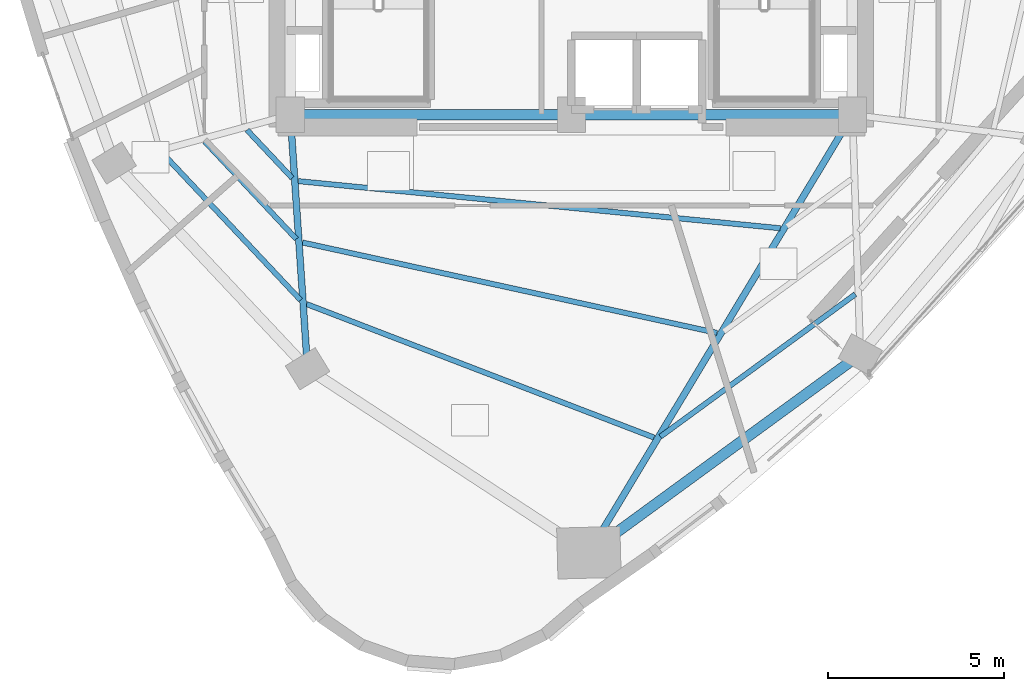
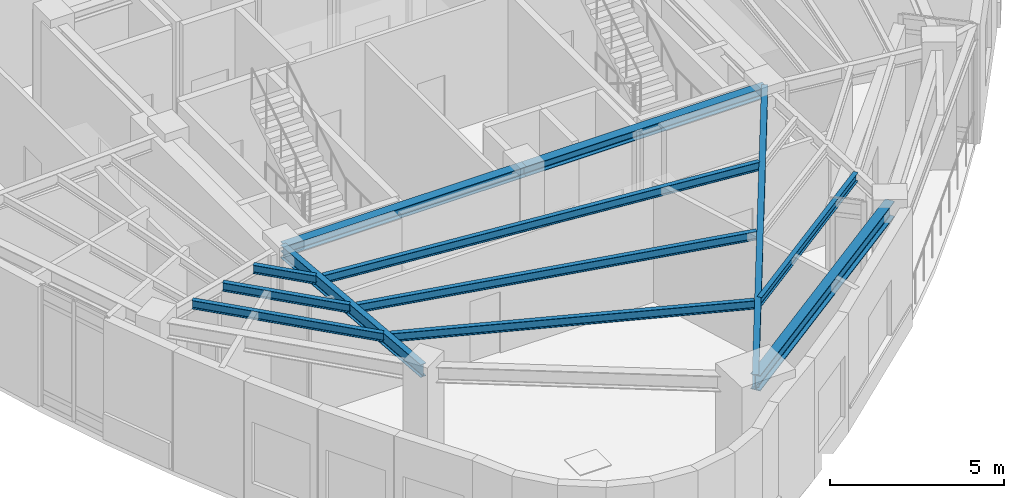
# One storey, part 3 of 18: 12 beams.
"""IFC4 building model written with IfcOpenShell, lengths in metres."""

from ifc_helpers import new_model, si_unit, direction, frame, origin, origin_2d, place, context, subcontext, project, spatial, i_section, extrude, material, material_profile, profile_set, type_object, element, save


model = new_model("IFC4")

# Units and contexts
model_context = context("Model", 3, precision=1e-05, world=origin(), true_north=direction((0.0, 1.0)))
body_context = subcontext(model_context, "Body", "Model", "MODEL_VIEW")
ifc_project = project(units=[si_unit("LENGTHUNIT", "METRE"), si_unit("AREAUNIT", "SQUARE_METRE"), si_unit("VOLUMEUNIT", "CUBIC_METRE"), si_unit("PLANEANGLEUNIT", "RADIAN"), si_unit("MASSUNIT", "GRAM", prefix="KILO")], contexts=[model_context])

# Site, building, storey
site_placement = place(None, origin())
site = spatial("IfcSite", under=ifc_project, at=site_placement, CompositionType="ELEMENT")
building_placement = place(site_placement, origin())
building = spatial("IfcBuilding", under=site, at=building_placement, Name="Ndelora Gate Hotel", CompositionType="ELEMENT")
storey_placement = place(building_placement, frame((0.0, 0.0, 173.75)))
storey = spatial("IfcBuildingStorey", under=building, at=storey_placement, Name="L43", CompositionType="ELEMENT", Elevation=173.75)

# Beams
ifc_material = material(Name="Steel S355", Category="steel")
ifc_material_profile_1 = material_profile(ifc_material, i_section(OverallWidth=0.300048828125, OverallDepth=0.35009765625, WebThickness=0.010009765625, FlangeThickness=0.017578125, FilletRadius=0.027099609375, at=origin_2d()), Name="HEA 360")
ifc_profile_set_1 = profile_set([ifc_material_profile_1], Name="Steel S355")
beam_type_1 = type_object("IfcBeamType", Name="BM-CORE-350", PredefinedType="BEAM", material=ifc_profile_set_1)
for number, where, z_axis, x_axis, name in (
    (1, (-8.0, -6.60009765625, 4.034912109375), (1.0, 0.0, 0.0), (0.0, 1.0, 0.0), "L43 Core Tie Girder CC1-CC2"),
    (2, (0.0, -6.60009765625, 4.034912109375), (1.0, 0.0, 0.0), (0.0, 1.0, 0.0), "L43 Core Tie Girder CC2-CC3"),
):
    element("IfcBeam", number, at=place(storey_placement, frame(where, z_axis=z_axis, x_axis=x_axis)), inside=storey, type_object=beam_type_1, Name=name, PredefinedType="BEAM", context=body_context, shape_type="SweptSolid", body=[
        extrude(i_section(OverallWidth=0.300048828125, OverallDepth=0.35009765625, WebThickness=0.010009765625, FlangeThickness=0.017578125, FilletRadius=0.027099609375, at=origin_2d()), origin(), (0.0, 0.0, 1.0), 8.0),
    ])
ifc_material_profile_2 = material_profile(ifc_material, i_section(OverallWidth=0.14990234375, OverallDepth=0.300048828125, WebThickness=0.007080078125, FlangeThickness=0.0107421875, FilletRadius=0.014892578125, at=origin_2d()), Name="IPE 300")
ifc_profile_set_2 = profile_set([ifc_material_profile_2], Name="Steel S355")
beam_type_2 = type_object("IfcBeamType", Name="BM-JST-300", PredefinedType="JOIST", material=ifc_profile_set_2)
beam_1_placement = place(storey_placement, frame((-9.231201171875, -7.03369140625, 4.06005859375), z_axis=(0.684943115963, -0.728596546722, 0.0), x_axis=(0.728596546722, 0.684943115963, 0.0)))
element("IfcBeam", 3, at=beam_1_placement, inside=storey, type_object=beam_type_2, Name="L43 Secondary Composite Floor Joist IN-3", PredefinedType="JOIST", context=body_context, shape_type="SweptSolid", body=[
    extrude(i_section(OverallWidth=0.14990234375, OverallDepth=0.300048828125, WebThickness=0.007080078125, FlangeThickness=0.0107421875, FilletRadius=0.014892578125, at=origin_2d()), origin(), (0.0, 0.0, 1.0), 1.879150390625),
])
beam_2_placement = place(storey_placement, frame((-10.43408203125, -7.36328125, 4.06005859375), z_axis=(0.684938600536, -0.728600791584, 0.0), x_axis=(0.728600791584, 0.684938600536, 0.0)))
element("IfcBeam", 4, at=beam_2_placement, inside=storey, type_object=beam_type_2, Name="L43 Secondary Composite Floor Joist MID-3", PredefinedType="JOIST", context=body_context, shape_type="SweptSolid", body=[
    extrude(i_section(OverallWidth=0.14990234375, OverallDepth=0.300048828125, WebThickness=0.007080078125, FlangeThickness=0.0107421875, FilletRadius=0.014892578125, at=origin_2d()), origin(), (0.0, 0.0, 1.0), 3.807861328125),
])
beam_3_placement = place(storey_placement, frame((-11.636962890625, -7.693115234375, 4.06005859375), z_axis=(0.68493576734, -0.728603454986, 0.0), x_axis=(0.728603454986, 0.68493576734, 0.0)))
element("IfcBeam", 5, at=beam_3_placement, inside=storey, type_object=beam_type_2, Name="L43 Secondary Composite Floor Joist OUT-3", PredefinedType="JOIST", context=body_context, shape_type="SweptSolid", body=[
    extrude(i_section(OverallWidth=0.14990234375, OverallDepth=0.300048828125, WebThickness=0.007080078125, FlangeThickness=0.0107421875, FilletRadius=0.014892578125, at=origin_2d()), origin(), (0.0, 0.0, 1.0), 5.736328125),
])
beam_4_placement = place(storey_placement, frame((-7.767578125, -8.489501953125, 4.06005859375), z_axis=(0.995253727902, -0.097314012848, 0.0), x_axis=(0.097314012848, 0.995253727902, 0.0)))
element("IfcBeam", 6, at=beam_4_placement, inside=storey, type_object=beam_type_2, Name="L43 Secondary Composite Floor Joist IN-4", PredefinedType="JOIST", context=body_context, shape_type="SweptSolid", body=[
    extrude(i_section(OverallWidth=0.14990234375, OverallDepth=0.300048828125, WebThickness=0.007080078125, FlangeThickness=0.0107421875, FilletRadius=0.014892578125, at=origin_2d()), origin(), (0.0, 0.0, 1.0), 13.7783203125),
])
beam_5_placement = place(storey_placement, frame((-7.651611328125, -10.236572265625, 4.06005859375), z_axis=(0.977032906758, -0.213088477191, 0.0), x_axis=(0.213088477191, 0.977032906758, 0.0)))
element("IfcBeam", 7, at=beam_5_placement, inside=storey, type_object=beam_type_2, Name="L43 Secondary Composite Floor Joist MID-4", PredefinedType="JOIST", context=body_context, shape_type="SweptSolid", body=[
    extrude(i_section(OverallWidth=0.14990234375, OverallDepth=0.300048828125, WebThickness=0.007080078125, FlangeThickness=0.0107421875, FilletRadius=0.014892578125, at=origin_2d()), origin(), (0.0, 0.0, 1.0), 12.075927734375),
])
beam_6_placement = place(storey_placement, frame((-7.5380859375, -11.98681640625, 4.06005859375), z_axis=(0.933489266504, -0.358605339227, 0.0), x_axis=(0.358605339227, 0.933489266504, 0.0)))
element("IfcBeam", 8, at=beam_6_placement, inside=storey, type_object=beam_type_2, Name="L43 Secondary Composite Floor Joist OUT-4", PredefinedType="JOIST", context=body_context, shape_type="SweptSolid", body=[
    extrude(i_section(OverallWidth=0.14990234375, OverallDepth=0.300048828125, WebThickness=0.007080078125, FlangeThickness=0.0107421875, FilletRadius=0.014892578125, at=origin_2d()), origin(), (0.0, 0.0, 1.0), 10.593994140625),
])
beam_7_placement = place(storey_placement, frame((2.5341796875, -15.761474609375, 4.06005859375), z_axis=(0.807430841486, 0.589962232874, 0.0), x_axis=(-0.589962232874, 0.807430841486, 0.0)))
element("IfcBeam", 9, at=beam_7_placement, inside=storey, type_object=beam_type_2, Name="L43 Secondary Composite Floor Joist OUT-5", PredefinedType="JOIST", context=body_context, shape_type="SweptSolid", body=[
    extrude(i_section(OverallWidth=0.14990234375, OverallDepth=0.300048828125, WebThickness=0.007080078125, FlangeThickness=0.0107421875, FilletRadius=0.014892578125, at=origin_2d()), origin(), (0.0, 0.0, 1.0), 6.869384765625),
])
ifc_material_profile_3 = material_profile(ifc_material, i_section(OverallWidth=0.18994140625, OverallDepth=0.449951171875, WebThickness=0.009521484375, FlangeThickness=0.0146484375, FilletRadius=0.02099609375, at=origin_2d()), Name="IPE 450")
ifc_profile_set_3 = profile_set([ifc_material_profile_3], Name="Steel S355")
beam_type_3 = type_object("IfcBeamType", Name="BM-RAD-450", PredefinedType="BEAM", material=ifc_profile_set_3)
beam_8_placement = place(storey_placement, frame((-8.0, -6.60009765625, 3.985107421875), z_axis=(0.067867612113, -0.997694335569, 0.0), x_axis=(0.997694335569, 0.067867612113, 0.0)))
element("IfcBeam", 10, at=beam_8_placement, inside=storey, type_object=beam_type_3, Name="L43 Radial Floor Girder 4", PredefinedType="BEAM", context=body_context, shape_type="SweptSolid", body=[
    extrude(i_section(OverallWidth=0.18994140625, OverallDepth=0.449951171875, WebThickness=0.009521484375, FlangeThickness=0.0146484375, FilletRadius=0.02099609375, at=origin_2d()), origin(), (0.0, 0.0, 1.0), 7.244873046875),
])
beam_9_placement = place(storey_placement, frame((8.0, -6.60009765625, 3.985107421875), z_axis=(-0.515620753203, -0.856816922607, 0.0), x_axis=(0.856816922607, -0.515620753203, 0.0)))
element("IfcBeam", 11, at=beam_9_placement, inside=storey, type_object=beam_type_3, Name="L43 Radial Floor Girder 5", PredefinedType="BEAM", context=body_context, shape_type="SweptSolid", body=[
    extrude(i_section(OverallWidth=0.18994140625, OverallDepth=0.449951171875, WebThickness=0.009521484375, FlangeThickness=0.0146484375, FilletRadius=0.02099609375, at=origin_2d()), origin(), (0.0, 0.0, 1.0), 14.546875),
])
ifc_material_profile_4 = material_profile(ifc_material, i_section(OverallWidth=0.300048828125, OverallDepth=0.550048828125, WebThickness=0.014892578125, FlangeThickness=0.029052734375, FilletRadius=0.027099609375, at=origin_2d()), Name="HEB 550")
ifc_profile_set_4 = profile_set([ifc_material_profile_4], Name="Steel S355")
beam_type_4 = type_object("IfcBeamType", Name="BM-RING-550", PredefinedType="SPANDREL", material=ifc_profile_set_4)
beam_10_placement = place(storey_placement, frame((0.499267578125, -19.064208984375, 3.93505859375), z_axis=(0.807421980226, 0.58997436033, 0.0), x_axis=(-0.58997436033, 0.807421980226, 0.0)))
element("IfcBeam", 12, at=beam_10_placement, inside=storey, type_object=beam_type_4, Name="L43 Perimeter Spandrel Girder 5", PredefinedType="SPANDREL", context=body_context, shape_type="SweptSolid", body=[
    extrude(i_section(OverallWidth=0.300048828125, OverallDepth=0.550048828125, WebThickness=0.014892578125, FlangeThickness=0.029052734375, FilletRadius=0.027099609375, at=origin_2d()), origin(), (0.0, 0.0, 1.0), 9.56689453125),
])

save(model, "model.ifc")
